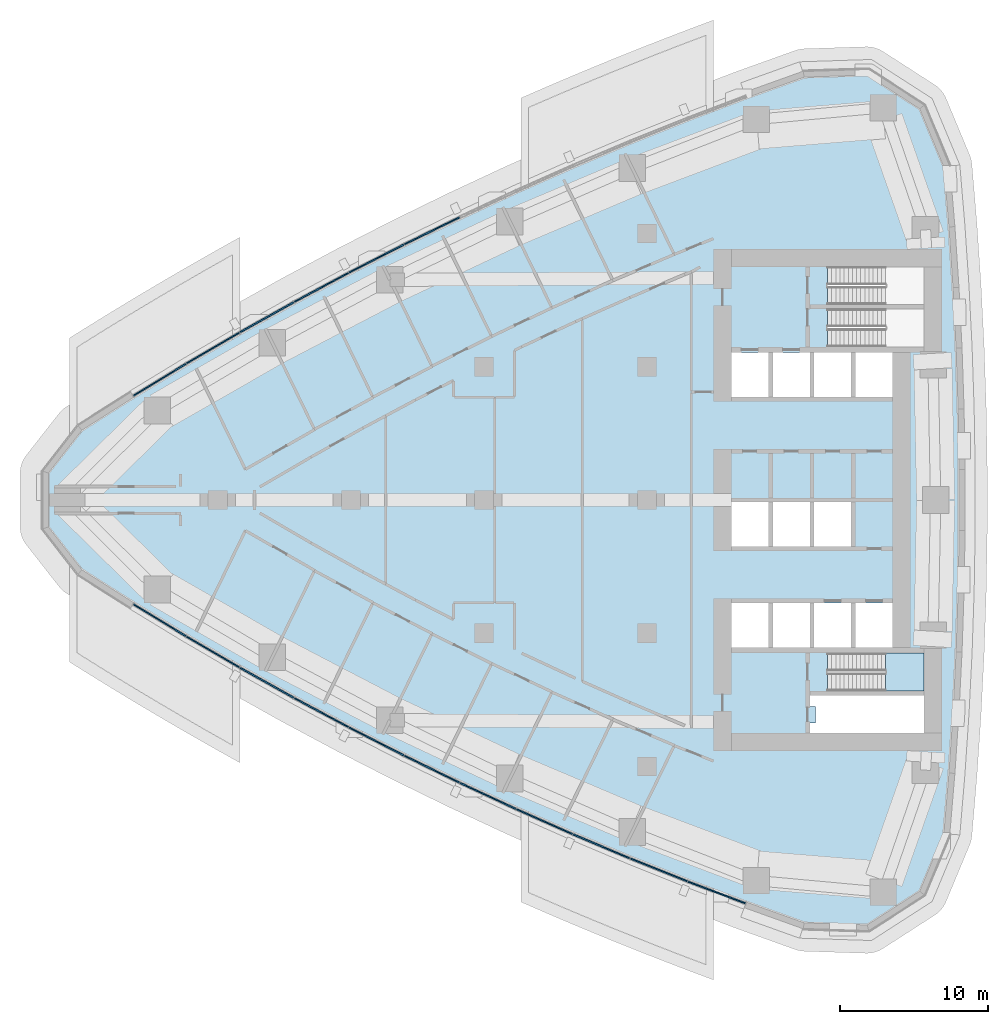
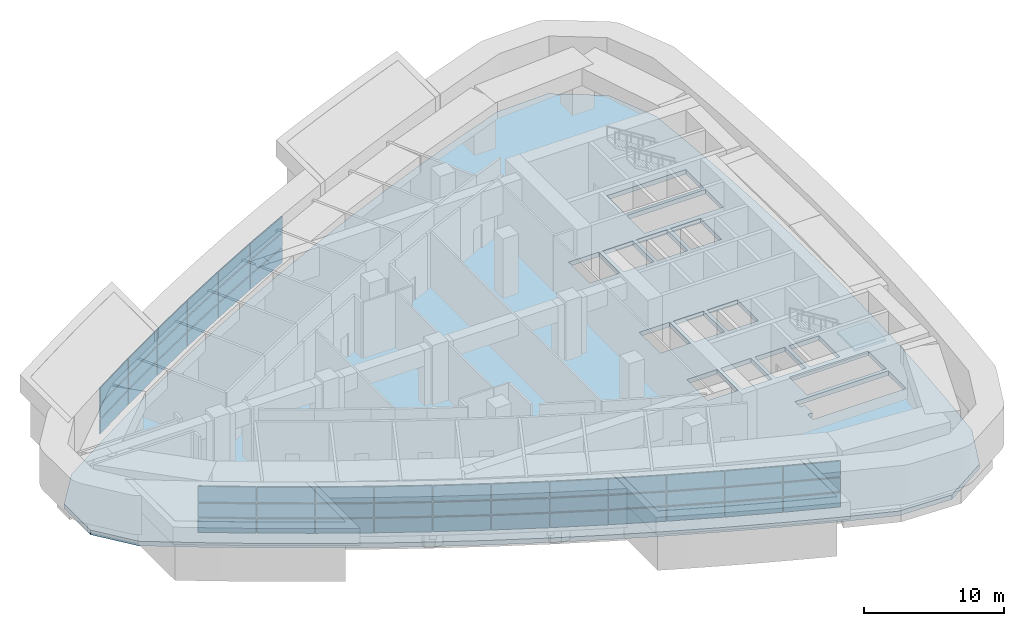
# One storey, part 8 of 17: 51 plates, 2 slabs, 1 opening, 9 elements without a shape of their own.
"""IFC4 building model written with IfcOpenShell, lengths in metres."""

from ifc_helpers import new_model, si_unit, direction, frame, origin, origin_2d, place, context, subcontext, project, spatial, polyline, rectangle, outline, extrude, material, layer, layer_set, type_object, element, aggregate, save


model = new_model("IFC4")

# Units and contexts
model_context = context("Model", 3, precision=1e-05, world=origin(), true_north=direction((0.0, 1.0)))
body_context = subcontext(model_context, "Body", "Model", "MODEL_VIEW")
ifc_project = project(units=[si_unit("LENGTHUNIT", "METRE"), si_unit("AREAUNIT", "SQUARE_METRE"), si_unit("VOLUMEUNIT", "CUBIC_METRE"), si_unit("PLANEANGLEUNIT", "RADIAN"), si_unit("MASSUNIT", "GRAM", prefix="KILO")], contexts=[model_context])

# Site, building, storey
site_placement = place(None, origin())
site = spatial("IfcSite", under=ifc_project, at=site_placement, CompositionType="ELEMENT")
building_placement = place(site_placement, origin())
building = spatial("IfcBuilding", under=site, at=building_placement, Name="Ostrand Prow Hotel Tower", CompositionType="ELEMENT")
storey_placement = place(building_placement, frame((0.0, 0.0, 75.10009765625)))
storey = spatial("IfcBuildingStorey", under=building, at=storey_placement, Name="L17", CompositionType="ELEMENT", Elevation=75.10009765625)

# Curtain wall, plates
ifc_material_1 = material(Name="Insulated glass in bronze anodised frame", Category="glass")
ifc_layer_1 = layer(ifc_material_1, 0.199951171875)
ifc_layer_set_1 = layer_set([ifc_layer_1], Name="Insulated glass in bronze anodised frame")
curtain_wall_type = type_object("IfcCurtainWallType", Name="Plant storey louvre wall", PredefinedType="NOTDEFINED", material=ifc_layer_set_1)
curtain_wall_1_placement = place(storey_placement, origin())
curtain_wall_1 = element("IfcCurtainWall", 1, at=curtain_wall_1_placement, inside=storey, type_object=curtain_wall_type, Name="CW7 run CWS1", PredefinedType="NOTDEFINED")
ifc_material_2 = material(Name="Bronze anodised aluminium louvre", Category="aluminium")
ifc_layer_2 = layer(ifc_material_2, 0.10009765625)
ifc_layer_set_2 = layer_set([ifc_layer_2], Name="Bronze anodised aluminium louvre")
plate_type = type_object("IfcPlateType", Name="Bronze louvre panel 100 mm", PredefinedType="CURTAIN_PANEL", material=ifc_layer_set_2)
plate_1_placement = place(storey_placement, frame((12.0859375, -8.12158203125, 0.89990234375), z_axis=(0.0, 0.0, 1.0), x_axis=(0.854269266322, -0.519830761515, 0.0)))
plate_1 = element("IfcPlate", 2, at=plate_1_placement, type_object=plate_type, Name="CW7 PN-V panel 1.1", PredefinedType="CURTAIN_PANEL", context=body_context, shape_type="SweptSolid", body=[
    extrude(rectangle(XDim=4.13427734375, YDim=0.10009765625, at=origin_2d()), origin(), (0.0, 0.0, 1.0), 1.239990234375),
])
plate_2_placement = place(storey_placement, frame((12.0859375, -8.12158203125, 2.259765625), z_axis=(0.0, 0.0, 1.0), x_axis=(0.854269266322, -0.519830761515, 0.0)))
plate_2 = element("IfcPlate", 3, at=plate_2_placement, type_object=plate_type, Name="CW7 PN-V panel 1.2", PredefinedType="CURTAIN_PANEL", context=body_context, shape_type="SweptSolid", body=[
    extrude(rectangle(XDim=4.13427734375, YDim=0.10009765625, at=origin_2d()), origin(), (0.0, 0.0, 1.0), 1.179931640625),
])
plate_3_placement = place(storey_placement, frame((12.0859375, -8.12158203125, 3.56005859375), z_axis=(0.0, 0.0, 1.0), x_axis=(0.854269266322, -0.519830761515, 0.0)))
plate_3 = element("IfcPlate", 4, at=plate_3_placement, type_object=plate_type, Name="CW7 PN-V panel 1.3", PredefinedType="CURTAIN_PANEL", context=body_context, shape_type="SweptSolid", body=[
    extrude(rectangle(XDim=4.13427734375, YDim=0.10009765625, at=origin_2d()), origin(), (0.0, 0.0, 1.0), 1.340087890625),
])
plate_4_placement = place(storey_placement, frame((15.688720703125, -10.268798828125, 0.89990234375), z_axis=(0.0, 0.0, 1.0), x_axis=(0.863690392896, -0.50402272292, 0.0)))
plate_4 = element("IfcPlate", 5, at=plate_4_placement, type_object=plate_type, Name="CW7 PN-V panel 2.1", PredefinedType="CURTAIN_PANEL", context=body_context, shape_type="SweptSolid", body=[
    extrude(rectangle(XDim=4.13427734375, YDim=0.10009765625, at=origin_2d()), origin(), (0.0, 0.0, 1.0), 1.239990234375),
])
plate_5_placement = place(storey_placement, frame((15.688720703125, -10.268798828125, 2.259765625), z_axis=(0.0, 0.0, 1.0), x_axis=(0.863690392896, -0.50402272292, 0.0)))
plate_5 = element("IfcPlate", 6, at=plate_5_placement, type_object=plate_type, Name="CW7 PN-V panel 2.2", PredefinedType="CURTAIN_PANEL", context=body_context, shape_type="SweptSolid", body=[
    extrude(rectangle(XDim=4.13427734375, YDim=0.10009765625, at=origin_2d()), origin(), (0.0, 0.0, 1.0), 1.179931640625),
])
plate_6_placement = place(storey_placement, frame((15.688720703125, -10.268798828125, 3.56005859375), z_axis=(0.0, 0.0, 1.0), x_axis=(0.863690392896, -0.50402272292, 0.0)))
plate_6 = element("IfcPlate", 7, at=plate_6_placement, type_object=plate_type, Name="CW7 PN-V panel 2.3", PredefinedType="CURTAIN_PANEL", context=body_context, shape_type="SweptSolid", body=[
    extrude(rectangle(XDim=4.13427734375, YDim=0.10009765625, at=origin_2d()), origin(), (0.0, 0.0, 1.0), 1.340087890625),
])
aggregate(curtain_wall_1, [plate_1, plate_2, plate_3, plate_4, plate_5, plate_6])

curtain_wall_2_placement = place(storey_placement, origin())
curtain_wall_2 = element("IfcCurtainWall", 8, at=curtain_wall_2_placement, inside=storey, type_object=curtain_wall_type, Name="CW7 run CWS2", PredefinedType="NOTDEFINED")
plate_7_placement = place(storey_placement, frame((19.33056640625, -12.349365234375, 0.89990234375), z_axis=(0.0, 0.0, 1.0), x_axis=(0.872819029241, -0.488043996167, 0.0)))
plate_7 = element("IfcPlate", 9, at=plate_7_placement, type_object=plate_type, Name="CW7 PN-V panel 1.1", PredefinedType="CURTAIN_PANEL", context=body_context, shape_type="SweptSolid", body=[
    extrude(rectangle(XDim=4.13427734375, YDim=0.10009765625, at=origin_2d()), origin(), (0.0, 0.0, 1.0), 1.239990234375),
])
plate_8_placement = place(storey_placement, frame((19.33056640625, -12.349365234375, 2.259765625), z_axis=(0.0, 0.0, 1.0), x_axis=(0.872819029241, -0.488043996167, 0.0)))
plate_8 = element("IfcPlate", 10, at=plate_8_placement, type_object=plate_type, Name="CW7 PN-V panel 1.2", PredefinedType="CURTAIN_PANEL", context=body_context, shape_type="SweptSolid", body=[
    extrude(rectangle(XDim=4.13427734375, YDim=0.10009765625, at=origin_2d()), origin(), (0.0, 0.0, 1.0), 1.179931640625),
])
plate_9_placement = place(storey_placement, frame((19.33056640625, -12.349365234375, 3.56005859375), z_axis=(0.0, 0.0, 1.0), x_axis=(0.872819029241, -0.488043996167, 0.0)))
plate_9 = element("IfcPlate", 11, at=plate_9_placement, type_object=plate_type, Name="CW7 PN-V panel 1.3", PredefinedType="CURTAIN_PANEL", context=body_context, shape_type="SweptSolid", body=[
    extrude(rectangle(XDim=4.13427734375, YDim=0.10009765625, at=origin_2d()), origin(), (0.0, 0.0, 1.0), 1.340087890625),
])
plate_10_placement = place(storey_placement, frame((23.009765625, -14.362548828125, 0.89990234375), z_axis=(0.0, 0.0, 1.0), x_axis=(0.881652083929, -0.471899992481, 0.0)))
plate_10 = element("IfcPlate", 12, at=plate_10_placement, type_object=plate_type, Name="CW7 PN-V panel 2.1", PredefinedType="CURTAIN_PANEL", context=body_context, shape_type="SweptSolid", body=[
    extrude(rectangle(XDim=4.13427734375, YDim=0.10009765625, at=origin_2d()), origin(), (0.0, 0.0, 1.0), 1.239990234375),
])
plate_11_placement = place(storey_placement, frame((23.009765625, -14.362548828125, 2.259765625), z_axis=(0.0, 0.0, 1.0), x_axis=(0.881652083929, -0.471899992481, 0.0)))
plate_11 = element("IfcPlate", 13, at=plate_11_placement, type_object=plate_type, Name="CW7 PN-V panel 2.2", PredefinedType="CURTAIN_PANEL", context=body_context, shape_type="SweptSolid", body=[
    extrude(rectangle(XDim=4.13427734375, YDim=0.10009765625, at=origin_2d()), origin(), (0.0, 0.0, 1.0), 1.179931640625),
])
plate_12_placement = place(storey_placement, frame((23.009765625, -14.362548828125, 3.56005859375), z_axis=(0.0, 0.0, 1.0), x_axis=(0.881652083929, -0.471899992481, 0.0)))
plate_12 = element("IfcPlate", 14, at=plate_12_placement, type_object=plate_type, Name="CW7 PN-V panel 2.3", PredefinedType="CURTAIN_PANEL", context=body_context, shape_type="SweptSolid", body=[
    extrude(rectangle(XDim=4.13427734375, YDim=0.10009765625, at=origin_2d()), origin(), (0.0, 0.0, 1.0), 1.340087890625),
])
plate_13_placement = place(storey_placement, frame((26.7255859375, -16.3076171875, 0.89990234375), z_axis=(0.0, 0.0, 1.0), x_axis=(0.890186565631, -0.455596179055, 0.0)))
plate_13 = element("IfcPlate", 15, at=plate_13_placement, type_object=plate_type, Name="CW7 PN-V panel 3.1", PredefinedType="CURTAIN_PANEL", context=body_context, shape_type="SweptSolid", body=[
    extrude(rectangle(XDim=4.13427734375, YDim=0.10009765625, at=origin_2d()), origin(), (0.0, 0.0, 1.0), 1.239990234375),
])
plate_14_placement = place(storey_placement, frame((26.7255859375, -16.3076171875, 2.259765625), z_axis=(0.0, 0.0, 1.0), x_axis=(0.890186565631, -0.455596179055, 0.0)))
plate_14 = element("IfcPlate", 16, at=plate_14_placement, type_object=plate_type, Name="CW7 PN-V panel 3.2", PredefinedType="CURTAIN_PANEL", context=body_context, shape_type="SweptSolid", body=[
    extrude(rectangle(XDim=4.13427734375, YDim=0.10009765625, at=origin_2d()), origin(), (0.0, 0.0, 1.0), 1.179931640625),
])
plate_15_placement = place(storey_placement, frame((26.7255859375, -16.3076171875, 3.56005859375), z_axis=(0.0, 0.0, 1.0), x_axis=(0.890186565631, -0.455596179055, 0.0)))
plate_15 = element("IfcPlate", 17, at=plate_15_placement, type_object=plate_type, Name="CW7 PN-V panel 3.3", PredefinedType="CURTAIN_PANEL", context=body_context, shape_type="SweptSolid", body=[
    extrude(rectangle(XDim=4.13427734375, YDim=0.10009765625, at=origin_2d()), origin(), (0.0, 0.0, 1.0), 1.340087890625),
])
aggregate(curtain_wall_2, [plate_7, plate_8, plate_9, plate_10, plate_11, plate_12, plate_13, plate_14, plate_15])

curtain_wall_3_placement = place(storey_placement, origin())
curtain_wall_3 = element("IfcCurtainWall", 18, at=curtain_wall_3_placement, inside=storey, type_object=curtain_wall_type, Name="CW7 run CWS3", PredefinedType="NOTDEFINED")
plate_16_placement = place(storey_placement, frame((30.4765625, -18.183837890625, 0.89990234375), z_axis=(0.0, 0.0, 1.0), x_axis=(0.898419584131, -0.439138077204, 0.0)))
plate_16 = element("IfcPlate", 19, at=plate_16_placement, type_object=plate_type, Name="CW7 PN-V panel 1.1", PredefinedType="CURTAIN_PANEL", context=body_context, shape_type="SweptSolid", body=[
    extrude(rectangle(XDim=4.13427734375, YDim=0.10009765625, at=origin_2d()), origin(), (0.0, 0.0, 1.0), 1.239990234375),
])
plate_17_placement = place(storey_placement, frame((30.4765625, -18.183837890625, 2.259765625), z_axis=(0.0, 0.0, 1.0), x_axis=(0.898419584131, -0.439138077204, 0.0)))
plate_17 = element("IfcPlate", 20, at=plate_17_placement, type_object=plate_type, Name="CW7 PN-V panel 1.2", PredefinedType="CURTAIN_PANEL", context=body_context, shape_type="SweptSolid", body=[
    extrude(rectangle(XDim=4.13427734375, YDim=0.10009765625, at=origin_2d()), origin(), (0.0, 0.0, 1.0), 1.179931640625),
])
plate_18_placement = place(storey_placement, frame((30.4765625, -18.183837890625, 3.56005859375), z_axis=(0.0, 0.0, 1.0), x_axis=(0.898419584131, -0.439138077204, 0.0)))
plate_18 = element("IfcPlate", 21, at=plate_18_placement, type_object=plate_type, Name="CW7 PN-V panel 1.3", PredefinedType="CURTAIN_PANEL", context=body_context, shape_type="SweptSolid", body=[
    extrude(rectangle(XDim=4.13427734375, YDim=0.10009765625, at=origin_2d()), origin(), (0.0, 0.0, 1.0), 1.340087890625),
])
plate_19_placement = place(storey_placement, frame((34.26123046875, -19.990966796875, 0.89990234375), z_axis=(0.0, 0.0, 1.0), x_axis=(0.906349088757, -0.422529678615, 0.0)))
plate_19 = element("IfcPlate", 22, at=plate_19_placement, type_object=plate_type, Name="CW7 PN-V panel 2.1", PredefinedType="CURTAIN_PANEL", context=body_context, shape_type="SweptSolid", body=[
    extrude(rectangle(XDim=4.13427734375, YDim=0.10009765625, at=origin_2d()), origin(), (0.0, 0.0, 1.0), 1.239990234375),
])
plate_20_placement = place(storey_placement, frame((34.26123046875, -19.990966796875, 2.259765625), z_axis=(0.0, 0.0, 1.0), x_axis=(0.906349088757, -0.422529678615, 0.0)))
plate_20 = element("IfcPlate", 23, at=plate_20_placement, type_object=plate_type, Name="CW7 PN-V panel 2.2", PredefinedType="CURTAIN_PANEL", context=body_context, shape_type="SweptSolid", body=[
    extrude(rectangle(XDim=4.13427734375, YDim=0.10009765625, at=origin_2d()), origin(), (0.0, 0.0, 1.0), 1.179931640625),
])
plate_21_placement = place(storey_placement, frame((34.26123046875, -19.990966796875, 3.56005859375), z_axis=(0.0, 0.0, 1.0), x_axis=(0.906349088757, -0.422529678615, 0.0)))
plate_21 = element("IfcPlate", 24, at=plate_21_placement, type_object=plate_type, Name="CW7 PN-V panel 2.3", PredefinedType="CURTAIN_PANEL", context=body_context, shape_type="SweptSolid", body=[
    extrude(rectangle(XDim=4.13427734375, YDim=0.10009765625, at=origin_2d()), origin(), (0.0, 0.0, 1.0), 1.340087890625),
])
aggregate(curtain_wall_3, [plate_16, plate_17, plate_18, plate_19, plate_20, plate_21])

curtain_wall_4_placement = place(storey_placement, origin())
curtain_wall_4 = element("IfcCurtainWall", 25, at=curtain_wall_4_placement, inside=storey, type_object=curtain_wall_type, Name="CW7 run CWS4", PredefinedType="NOTDEFINED")
plate_22_placement = place(storey_placement, frame((38.078857421875, -21.72802734375, 0.89990234375), z_axis=(0.0, 0.0, 1.0), x_axis=(0.913970890274, -0.405779757666, 0.0)))
plate_22 = element("IfcPlate", 26, at=plate_22_placement, type_object=plate_type, Name="CW7 PN-V panel 1.1", PredefinedType="CURTAIN_PANEL", context=body_context, shape_type="SweptSolid", body=[
    extrude(rectangle(XDim=4.13427734375, YDim=0.10009765625, at=origin_2d()), origin(), (0.0, 0.0, 1.0), 1.239990234375),
])
plate_23_placement = place(storey_placement, frame((38.078857421875, -21.72802734375, 2.259765625), z_axis=(0.0, 0.0, 1.0), x_axis=(0.913970890274, -0.405779757666, 0.0)))
plate_23 = element("IfcPlate", 27, at=plate_23_placement, type_object=plate_type, Name="CW7 PN-V panel 1.2", PredefinedType="CURTAIN_PANEL", context=body_context, shape_type="SweptSolid", body=[
    extrude(rectangle(XDim=4.13427734375, YDim=0.10009765625, at=origin_2d()), origin(), (0.0, 0.0, 1.0), 1.179931640625),
])
plate_24_placement = place(storey_placement, frame((38.078857421875, -21.72802734375, 3.56005859375), z_axis=(0.0, 0.0, 1.0), x_axis=(0.913970890274, -0.405779757666, 0.0)))
plate_24 = element("IfcPlate", 28, at=plate_24_placement, type_object=plate_type, Name="CW7 PN-V panel 1.3", PredefinedType="CURTAIN_PANEL", context=body_context, shape_type="SweptSolid", body=[
    extrude(rectangle(XDim=4.13427734375, YDim=0.10009765625, at=origin_2d()), origin(), (0.0, 0.0, 1.0), 1.340087890625),
])
plate_25_placement = place(storey_placement, frame((41.927490234375, -23.39453125, 0.89990234375), z_axis=(0.0, 0.0, 1.0), x_axis=(0.921283173987, -0.388892418709, 0.0)))
plate_25 = element("IfcPlate", 29, at=plate_25_placement, type_object=plate_type, Name="CW7 PN-V panel 2.1", PredefinedType="CURTAIN_PANEL", context=body_context, shape_type="SweptSolid", body=[
    extrude(rectangle(XDim=4.13427734375, YDim=0.10009765625, at=origin_2d()), origin(), (0.0, 0.0, 1.0), 1.239990234375),
])
plate_26_placement = place(storey_placement, frame((41.927490234375, -23.39453125, 2.259765625), z_axis=(0.0, 0.0, 1.0), x_axis=(0.921283173987, -0.388892418709, 0.0)))
plate_26 = element("IfcPlate", 30, at=plate_26_placement, type_object=plate_type, Name="CW7 PN-V panel 2.2", PredefinedType="CURTAIN_PANEL", context=body_context, shape_type="SweptSolid", body=[
    extrude(rectangle(XDim=4.13427734375, YDim=0.10009765625, at=origin_2d()), origin(), (0.0, 0.0, 1.0), 1.179931640625),
])
plate_27_placement = place(storey_placement, frame((41.927490234375, -23.39453125, 3.56005859375), z_axis=(0.0, 0.0, 1.0), x_axis=(0.921283173987, -0.388892418709, 0.0)))
plate_27 = element("IfcPlate", 31, at=plate_27_placement, type_object=plate_type, Name="CW7 PN-V panel 2.3", PredefinedType="CURTAIN_PANEL", context=body_context, shape_type="SweptSolid", body=[
    extrude(rectangle(XDim=4.13427734375, YDim=0.10009765625, at=origin_2d()), origin(), (0.0, 0.0, 1.0), 1.340087890625),
])
aggregate(curtain_wall_4, [plate_22, plate_23, plate_24, plate_25, plate_26, plate_27])

curtain_wall_5_placement = place(storey_placement, origin())
curtain_wall_5 = element("IfcCurtainWall", 32, at=curtain_wall_5_placement, inside=storey, type_object=curtain_wall_type, Name="CW7 run CWS5", PredefinedType="NOTDEFINED")
plate_28_placement = place(storey_placement, frame((45.806396484375, -24.989990234375, 0.89990234375), z_axis=(0.0, 0.0, 1.0), x_axis=(0.928283463577, -0.371873380669, 0.0)))
plate_28 = element("IfcPlate", 33, at=plate_28_placement, type_object=plate_type, Name="CW7 PN-V panel 1.1", PredefinedType="CURTAIN_PANEL", context=body_context, shape_type="SweptSolid", body=[
    extrude(rectangle(XDim=4.13427734375, YDim=0.10009765625, at=origin_2d()), origin(), (0.0, 0.0, 1.0), 1.239990234375),
])
plate_29_placement = place(storey_placement, frame((45.806396484375, -24.989990234375, 2.259765625), z_axis=(0.0, 0.0, 1.0), x_axis=(0.928283463577, -0.371873380669, 0.0)))
plate_29 = element("IfcPlate", 34, at=plate_29_placement, type_object=plate_type, Name="CW7 PN-V panel 1.2", PredefinedType="CURTAIN_PANEL", context=body_context, shape_type="SweptSolid", body=[
    extrude(rectangle(XDim=4.13427734375, YDim=0.10009765625, at=origin_2d()), origin(), (0.0, 0.0, 1.0), 1.179931640625),
])
plate_30_placement = place(storey_placement, frame((45.806396484375, -24.989990234375, 3.56005859375), z_axis=(0.0, 0.0, 1.0), x_axis=(0.928283463577, -0.371873380669, 0.0)))
plate_30 = element("IfcPlate", 35, at=plate_30_placement, type_object=plate_type, Name="CW7 PN-V panel 1.3", PredefinedType="CURTAIN_PANEL", context=body_context, shape_type="SweptSolid", body=[
    extrude(rectangle(XDim=4.13427734375, YDim=0.10009765625, at=origin_2d()), origin(), (0.0, 0.0, 1.0), 1.340087890625),
])
plate_31_placement = place(storey_placement, frame((49.7138671875, -26.513671875, 0.89990234375), z_axis=(0.0, 0.0, 1.0), x_axis=(0.934969388384, -0.354728407072, 0.0)))
plate_31 = element("IfcPlate", 36, at=plate_31_placement, type_object=plate_type, Name="CW7 PN-V panel 2.1", PredefinedType="CURTAIN_PANEL", context=body_context, shape_type="SweptSolid", body=[
    extrude(rectangle(XDim=4.13427734375, YDim=0.10009765625, at=origin_2d()), origin(), (0.0, 0.0, 1.0), 1.239990234375),
])
plate_32_placement = place(storey_placement, frame((49.7138671875, -26.513671875, 2.259765625), z_axis=(0.0, 0.0, 1.0), x_axis=(0.934969388384, -0.354728407072, 0.0)))
plate_32 = element("IfcPlate", 37, at=plate_32_placement, type_object=plate_type, Name="CW7 PN-V panel 2.2", PredefinedType="CURTAIN_PANEL", context=body_context, shape_type="SweptSolid", body=[
    extrude(rectangle(XDim=4.13427734375, YDim=0.10009765625, at=origin_2d()), origin(), (0.0, 0.0, 1.0), 1.179931640625),
])
plate_33_placement = place(storey_placement, frame((49.7138671875, -26.513671875, 3.56005859375), z_axis=(0.0, 0.0, 1.0), x_axis=(0.934969388384, -0.354728407072, 0.0)))
plate_33 = element("IfcPlate", 38, at=plate_33_placement, type_object=plate_type, Name="CW7 PN-V panel 2.3", PredefinedType="CURTAIN_PANEL", context=body_context, shape_type="SweptSolid", body=[
    extrude(rectangle(XDim=4.13427734375, YDim=0.10009765625, at=origin_2d()), origin(), (0.0, 0.0, 1.0), 1.340087890625),
])
aggregate(curtain_wall_5, [plate_28, plate_29, plate_30, plate_31, plate_32, plate_33])

curtain_wall_6_placement = place(storey_placement, origin())
curtain_wall_6 = element("IfcCurtainWall", 39, at=curtain_wall_6_placement, inside=storey, type_object=curtain_wall_type, Name="CW7 run CWN3", PredefinedType="NOTDEFINED")
plate_34_placement = place(storey_placement, frame((30.4765625, 18.183837890625, 0.89990234375), z_axis=(0.0, 0.0, 1.0), x_axis=(-0.898419584131, -0.439138077204, 0.0)))
plate_34 = element("IfcPlate", 40, at=plate_34_placement, type_object=plate_type, Name="CW7 PN-V panel 2.1", PredefinedType="CURTAIN_PANEL", context=body_context, shape_type="SweptSolid", body=[
    extrude(rectangle(XDim=4.13427734375, YDim=0.10009765625, at=origin_2d()), origin(), (0.0, 0.0, 1.0), 1.239990234375),
])
plate_35_placement = place(storey_placement, frame((30.4765625, 18.183837890625, 2.259765625), z_axis=(0.0, 0.0, 1.0), x_axis=(-0.898419584131, -0.439138077204, 0.0)))
plate_35 = element("IfcPlate", 41, at=plate_35_placement, type_object=plate_type, Name="CW7 PN-V panel 2.2", PredefinedType="CURTAIN_PANEL", context=body_context, shape_type="SweptSolid", body=[
    extrude(rectangle(XDim=4.13427734375, YDim=0.10009765625, at=origin_2d()), origin(), (0.0, 0.0, 1.0), 1.179931640625),
])
plate_36_placement = place(storey_placement, frame((30.4765625, 18.183837890625, 3.56005859375), z_axis=(0.0, 0.0, 1.0), x_axis=(-0.898419584131, -0.439138077204, 0.0)))
plate_36 = element("IfcPlate", 42, at=plate_36_placement, type_object=plate_type, Name="CW7 PN-V panel 2.3", PredefinedType="CURTAIN_PANEL", context=body_context, shape_type="SweptSolid", body=[
    extrude(rectangle(XDim=4.13427734375, YDim=0.10009765625, at=origin_2d()), origin(), (0.0, 0.0, 1.0), 1.340087890625),
])
aggregate(curtain_wall_6, [plate_34, plate_35, plate_36])

curtain_wall_7_placement = place(storey_placement, origin())
curtain_wall_7 = element("IfcCurtainWall", 43, at=curtain_wall_7_placement, inside=storey, type_object=curtain_wall_type, Name="CW7 run CWN4", PredefinedType="NOTDEFINED")
plate_37_placement = place(storey_placement, frame((26.7255859375, 16.3076171875, 0.89990234375), z_axis=(0.0, 0.0, 1.0), x_axis=(-0.890186565631, -0.455596179055, 0.0)))
plate_37 = element("IfcPlate", 44, at=plate_37_placement, type_object=plate_type, Name="CW7 PN-V panel 1.1", PredefinedType="CURTAIN_PANEL", context=body_context, shape_type="SweptSolid", body=[
    extrude(rectangle(XDim=4.13427734375, YDim=0.10009765625, at=origin_2d()), origin(), (0.0, 0.0, 1.0), 1.239990234375),
])
plate_38_placement = place(storey_placement, frame((26.7255859375, 16.3076171875, 2.259765625), z_axis=(0.0, 0.0, 1.0), x_axis=(-0.890186565631, -0.455596179055, 0.0)))
plate_38 = element("IfcPlate", 45, at=plate_38_placement, type_object=plate_type, Name="CW7 PN-V panel 1.2", PredefinedType="CURTAIN_PANEL", context=body_context, shape_type="SweptSolid", body=[
    extrude(rectangle(XDim=4.13427734375, YDim=0.10009765625, at=origin_2d()), origin(), (0.0, 0.0, 1.0), 1.179931640625),
])
plate_39_placement = place(storey_placement, frame((26.7255859375, 16.3076171875, 3.56005859375), z_axis=(0.0, 0.0, 1.0), x_axis=(-0.890186565631, -0.455596179055, 0.0)))
plate_39 = element("IfcPlate", 46, at=plate_39_placement, type_object=plate_type, Name="CW7 PN-V panel 1.3", PredefinedType="CURTAIN_PANEL", context=body_context, shape_type="SweptSolid", body=[
    extrude(rectangle(XDim=4.13427734375, YDim=0.10009765625, at=origin_2d()), origin(), (0.0, 0.0, 1.0), 1.340087890625),
])
plate_40_placement = place(storey_placement, frame((23.009765625, 14.362548828125, 0.89990234375), z_axis=(0.0, 0.0, 1.0), x_axis=(-0.881652083929, -0.471899992481, 0.0)))
plate_40 = element("IfcPlate", 47, at=plate_40_placement, type_object=plate_type, Name="CW7 PN-V panel 2.1", PredefinedType="CURTAIN_PANEL", context=body_context, shape_type="SweptSolid", body=[
    extrude(rectangle(XDim=4.13427734375, YDim=0.10009765625, at=origin_2d()), origin(), (0.0, 0.0, 1.0), 1.239990234375),
])
plate_41_placement = place(storey_placement, frame((23.009765625, 14.362548828125, 2.259765625), z_axis=(0.0, 0.0, 1.0), x_axis=(-0.881652083929, -0.471899992481, 0.0)))
plate_41 = element("IfcPlate", 48, at=plate_41_placement, type_object=plate_type, Name="CW7 PN-V panel 2.2", PredefinedType="CURTAIN_PANEL", context=body_context, shape_type="SweptSolid", body=[
    extrude(rectangle(XDim=4.13427734375, YDim=0.10009765625, at=origin_2d()), origin(), (0.0, 0.0, 1.0), 1.179931640625),
])
plate_42_placement = place(storey_placement, frame((23.009765625, 14.362548828125, 3.56005859375), z_axis=(0.0, 0.0, 1.0), x_axis=(-0.881652083929, -0.471899992481, 0.0)))
plate_42 = element("IfcPlate", 49, at=plate_42_placement, type_object=plate_type, Name="CW7 PN-V panel 2.3", PredefinedType="CURTAIN_PANEL", context=body_context, shape_type="SweptSolid", body=[
    extrude(rectangle(XDim=4.13427734375, YDim=0.10009765625, at=origin_2d()), origin(), (0.0, 0.0, 1.0), 1.340087890625),
])
plate_43_placement = place(storey_placement, frame((19.33056640625, 12.349365234375, 0.89990234375), z_axis=(0.0, 0.0, 1.0), x_axis=(-0.872819029241, -0.488043996167, 0.0)))
plate_43 = element("IfcPlate", 50, at=plate_43_placement, type_object=plate_type, Name="CW7 PN-V panel 3.1", PredefinedType="CURTAIN_PANEL", context=body_context, shape_type="SweptSolid", body=[
    extrude(rectangle(XDim=4.13427734375, YDim=0.10009765625, at=origin_2d()), origin(), (0.0, 0.0, 1.0), 1.239990234375),
])
plate_44_placement = place(storey_placement, frame((19.33056640625, 12.349365234375, 2.259765625), z_axis=(0.0, 0.0, 1.0), x_axis=(-0.872819029241, -0.488043996167, 0.0)))
plate_44 = element("IfcPlate", 51, at=plate_44_placement, type_object=plate_type, Name="CW7 PN-V panel 3.2", PredefinedType="CURTAIN_PANEL", context=body_context, shape_type="SweptSolid", body=[
    extrude(rectangle(XDim=4.13427734375, YDim=0.10009765625, at=origin_2d()), origin(), (0.0, 0.0, 1.0), 1.179931640625),
])
plate_45_placement = place(storey_placement, frame((19.33056640625, 12.349365234375, 3.56005859375), z_axis=(0.0, 0.0, 1.0), x_axis=(-0.872819029241, -0.488043996167, 0.0)))
plate_45 = element("IfcPlate", 52, at=plate_45_placement, type_object=plate_type, Name="CW7 PN-V panel 3.3", PredefinedType="CURTAIN_PANEL", context=body_context, shape_type="SweptSolid", body=[
    extrude(rectangle(XDim=4.13427734375, YDim=0.10009765625, at=origin_2d()), origin(), (0.0, 0.0, 1.0), 1.340087890625),
])
aggregate(curtain_wall_7, [plate_37, plate_38, plate_39, plate_40, plate_41, plate_42, plate_43, plate_44, plate_45])

curtain_wall_8_placement = place(storey_placement, origin())
curtain_wall_8 = element("IfcCurtainWall", 53, at=curtain_wall_8_placement, inside=storey, type_object=curtain_wall_type, Name="CW7 run CWN5", PredefinedType="NOTDEFINED")
plate_46_placement = place(storey_placement, frame((15.688720703125, 10.268798828125, 0.89990234375), z_axis=(0.0, 0.0, 1.0), x_axis=(-0.863690392896, -0.50402272292, 0.0)))
plate_46 = element("IfcPlate", 54, at=plate_46_placement, type_object=plate_type, Name="CW7 PN-V panel 1.1", PredefinedType="CURTAIN_PANEL", context=body_context, shape_type="SweptSolid", body=[
    extrude(rectangle(XDim=4.13427734375, YDim=0.10009765625, at=origin_2d()), origin(), (0.0, 0.0, 1.0), 1.239990234375),
])
plate_47_placement = place(storey_placement, frame((15.688720703125, 10.268798828125, 2.259765625), z_axis=(0.0, 0.0, 1.0), x_axis=(-0.863690392896, -0.50402272292, 0.0)))
plate_47 = element("IfcPlate", 55, at=plate_47_placement, type_object=plate_type, Name="CW7 PN-V panel 1.2", PredefinedType="CURTAIN_PANEL", context=body_context, shape_type="SweptSolid", body=[
    extrude(rectangle(XDim=4.13427734375, YDim=0.10009765625, at=origin_2d()), origin(), (0.0, 0.0, 1.0), 1.179931640625),
])
plate_48_placement = place(storey_placement, frame((15.688720703125, 10.268798828125, 3.56005859375), z_axis=(0.0, 0.0, 1.0), x_axis=(-0.863690392896, -0.50402272292, 0.0)))
plate_48 = element("IfcPlate", 56, at=plate_48_placement, type_object=plate_type, Name="CW7 PN-V panel 1.3", PredefinedType="CURTAIN_PANEL", context=body_context, shape_type="SweptSolid", body=[
    extrude(rectangle(XDim=4.13427734375, YDim=0.10009765625, at=origin_2d()), origin(), (0.0, 0.0, 1.0), 1.340087890625),
])
plate_49_placement = place(storey_placement, frame((12.0859375, 8.12158203125, 0.89990234375), z_axis=(0.0, 0.0, 1.0), x_axis=(-0.854269266322, -0.519830761515, 0.0)))
plate_49 = element("IfcPlate", 57, at=plate_49_placement, type_object=plate_type, Name="CW7 PN-V panel 2.1", PredefinedType="CURTAIN_PANEL", context=body_context, shape_type="SweptSolid", body=[
    extrude(rectangle(XDim=4.13427734375, YDim=0.10009765625, at=origin_2d()), origin(), (0.0, 0.0, 1.0), 1.239990234375),
])
plate_50_placement = place(storey_placement, frame((12.0859375, 8.12158203125, 2.259765625), z_axis=(0.0, 0.0, 1.0), x_axis=(-0.854269266322, -0.519830761515, 0.0)))
plate_50 = element("IfcPlate", 58, at=plate_50_placement, type_object=plate_type, Name="CW7 PN-V panel 2.2", PredefinedType="CURTAIN_PANEL", context=body_context, shape_type="SweptSolid", body=[
    extrude(rectangle(XDim=4.13427734375, YDim=0.10009765625, at=origin_2d()), origin(), (0.0, 0.0, 1.0), 1.179931640625),
])
plate_51_placement = place(storey_placement, frame((12.0859375, 8.12158203125, 3.56005859375), z_axis=(0.0, 0.0, 1.0), x_axis=(-0.854269266322, -0.519830761515, 0.0)))
plate_51 = element("IfcPlate", 59, at=plate_51_placement, type_object=plate_type, Name="CW7 PN-V panel 2.3", PredefinedType="CURTAIN_PANEL", context=body_context, shape_type="SweptSolid", body=[
    extrude(rectangle(XDim=4.13427734375, YDim=0.10009765625, at=origin_2d()), origin(), (0.0, 0.0, 1.0), 1.340087890625),
])
aggregate(curtain_wall_8, [plate_46, plate_47, plate_48, plate_49, plate_50, plate_51])

# Slab, opening
ifc_material_3 = material(Name="Concrete C40/50", Category="concrete")
ifc_layer_3 = layer(ifc_material_3, 0.39990234375)
ifc_layer_set_3 = layer_set([ifc_layer_3], Name="Concrete C40/50")
slab_type_1 = type_object("IfcSlabType", Name="PT flat plate 400 C40/50", PredefinedType="FLOOR", material=ifc_layer_set_3)
slab_1_placement = place(storey_placement, frame((0.0, 0.0, -0.400146484375)))
slab_1 = element("IfcSlab", 60, at=slab_1_placement, inside=storey, type_object=slab_type_1, Name="Floor slab L17-1", PredefinedType="FLOOR", context=body_context, shape_type="SweptSolid", body=[
    extrude(outline(polyline([(6.690673828125, 4.805908203125), (10.26806640625, 7.073974609375), (13.851806640625, 9.2548828125), (17.47509765625, 11.369384765625), (21.136962890625, 13.416748046875), (24.83544921875, 15.396484375), (28.570068359375, 17.3076171875), (32.339111328125, 19.14990234375), (36.141357421875, 20.922607421875), (39.9755859375, 22.625), (43.840576171875, 24.25634765625), (47.73486328125, 25.81640625), (51.6572265625, 27.3046875), (55.64111328125, 28.73291015625), (59.92333984375, 28.873046875), (63.55908203125, 26.53369140625), (65.2060546875, 22.578369140625), (65.552978515625, 18.45166015625), (65.828369140625, 14.356689453125), (66.034912109375, 10.2578125), (66.172607421875, 6.15576171875), (66.241455078125, 2.052001953125), (66.241455078125, -2.052001953125), (66.172607421875, -6.15576171875), (66.034912109375, -10.2578125), (65.828369140625, -14.356689453125), (65.552978515625, -18.45166015625), (65.2060546875, -22.578369140625), (63.55908203125, -26.53369140625), (59.92333984375, -28.873046875), (55.64111328125, -28.73291015625), (51.6572265625, -27.3046875), (47.73486328125, -25.81640625), (43.840576171875, -24.25634765625), (39.9755859375, -22.625), (36.141357421875, -20.922607421875), (32.339111328125, -19.14990234375), (28.570068359375, -17.3076171875), (24.83544921875, -15.396484375), (21.136962890625, -13.416748046875), (17.47509765625, -11.369384765625), (13.851806640625, -9.2548828125), (10.26806640625, -7.073974609375), (6.690673828125, -4.805908203125), (4.399169921875, -1.8798828125), (4.399169921875, 1.8798828125), (6.690673828125, 4.805908203125)]), holes=[polyline([(50.699951171875, 6.949951171875), (53.199951171875, 6.949951171875), (53.199951171875, 9.949951171875), (50.699951171875, 9.949951171875), (50.699951171875, 6.949951171875)]), polyline([(53.5, 6.949951171875), (56.0, 6.949951171875), (56.0, 9.949951171875), (53.5, 9.949951171875), (53.5, 6.949951171875)]), polyline([(56.300048828125, 6.949951171875), (58.800048828125, 6.949951171875), (58.800048828125, 9.949951171875), (56.300048828125, 9.949951171875), (56.300048828125, 6.949951171875)]), polyline([(59.10009765625, 6.949951171875), (61.60009765625, 6.949951171875), (61.60009765625, 9.949951171875), (59.10009765625, 9.949951171875), (59.10009765625, 6.949951171875)]), polyline([(50.699951171875, -3.14990234375), (53.199951171875, -3.14990234375), (53.199951171875, -0.14990234375), (50.699951171875, -0.14990234375), (50.699951171875, -3.14990234375)]), polyline([(53.5, -3.14990234375), (56.0, -3.14990234375), (56.0, -0.14990234375), (53.5, -0.14990234375), (53.5, -3.14990234375)]), polyline([(56.300048828125, -3.14990234375), (58.800048828125, -3.14990234375), (58.800048828125, -0.14990234375), (56.300048828125, -0.14990234375), (56.300048828125, -3.14990234375)]), polyline([(50.699951171875, -9.949951171875), (53.199951171875, -9.949951171875), (53.199951171875, -6.949951171875), (50.699951171875, -6.949951171875), (50.699951171875, -9.949951171875)]), polyline([(53.5, -9.949951171875), (56.0, -9.949951171875), (56.0, -6.949951171875), (53.5, -6.949951171875), (53.5, -9.949951171875)]), polyline([(56.300048828125, -9.949951171875), (58.800048828125, -9.949951171875), (58.800048828125, -6.949951171875), (56.300048828125, -6.949951171875), (56.300048828125, -9.949951171875)]), polyline([(59.10009765625, -9.949951171875), (61.60009765625, -9.949951171875), (61.60009765625, -6.949951171875), (59.10009765625, -6.949951171875), (59.10009765625, -9.949951171875)]), polyline([(57.200927734375, 10.35107421875), (57.200927734375, 12.89892578125), (63.718994140625, 12.89892578125), (63.718994140625, 10.35107421875), (57.200927734375, 10.35107421875)]), polyline([(57.200927734375, 13.200927734375), (57.200927734375, 15.7490234375), (63.718994140625, 15.7490234375), (63.718994140625, 13.200927734375), (57.200927734375, 13.200927734375)]), polyline([(57.200927734375, -12.89892578125), (57.200927734375, -10.35107421875), (63.718994140625, -10.35107421875), (63.718994140625, -12.89892578125), (57.200927734375, -12.89892578125)]), polyline([(56.0, -13.199951171875), (63.719970703125, -13.199951171875), (63.719970703125, -15.75), (56.0, -15.75), (56.0, -15.050048828125), (56.39990234375, -15.050048828125), (56.39990234375, -13.949951171875), (56.0, -13.949951171875), (56.0, -13.199951171875)])]), origin(), (0.0, 0.0, 1.0), 0.400146484375),
])
opening_placement = place(slab_1_placement, origin())
element("IfcOpeningElement", 61, at=opening_placement, cuts=slab_1, Name="Shaft opening 1", PredefinedType="OPENING", context=body_context, shape_type="SweptSolid", body=[
    extrude(outline(polyline([(56.0, -13.199951171875), (63.719970703125, -13.199951171875), (63.719970703125, -15.75), (56.0, -15.75), (56.0, -15.050048828125), (56.39990234375, -15.050048828125), (56.39990234375, -13.949951171875), (56.0, -13.949951171875), (56.0, -13.199951171875)])), origin(), (0.0, 0.0, 1.0), 0.400146484375),
])

# Stair, slab
ifc_material_4 = material(Name="Concrete C40/50", Category="concrete")
stair_type = type_object("IfcStairType", Name="Exit stair 1200 upper zone", PredefinedType="HALF_TURN_STAIR", material=ifc_material_4)
stair_placement = place(storey_placement, origin())
stair = element("IfcStair", 62, at=stair_placement, inside=storey, type_object=stair_type, Name="L17 ST2C", PredefinedType="HALF_TURN_STAIR")
ifc_material_5 = material(Name="Concrete C40/50", Category="concrete")
ifc_layer_4 = layer(ifc_material_5, 0.199951171875)
ifc_layer_set_4 = layer_set([ifc_layer_4], Name="Concrete C40/50")
slab_type_2 = type_object("IfcSlabType", Name="Stair landing 200 concrete", PredefinedType="LANDING", material=ifc_layer_set_4)
slab_2_placement = place(storey_placement, frame((0.0, 0.0, 2.39990234375)))
slab_2 = element("IfcSlab", 63, at=slab_2_placement, type_object=slab_type_2, Name="ST2C landing 1", PredefinedType="LANDING", context=body_context, shape_type="SweptSolid", body=[
    extrude(outline(polyline([(61.1201171875, -12.89990234375), (63.719970703125, -12.89990234375), (63.719970703125, -10.35009765625), (61.1201171875, -10.35009765625), (61.1201171875, -12.89990234375)])), origin(), (0.0, 0.0, 1.0), 0.199951171875),
])
aggregate(stair, [slab_2])

save(model, "model.ifc")
